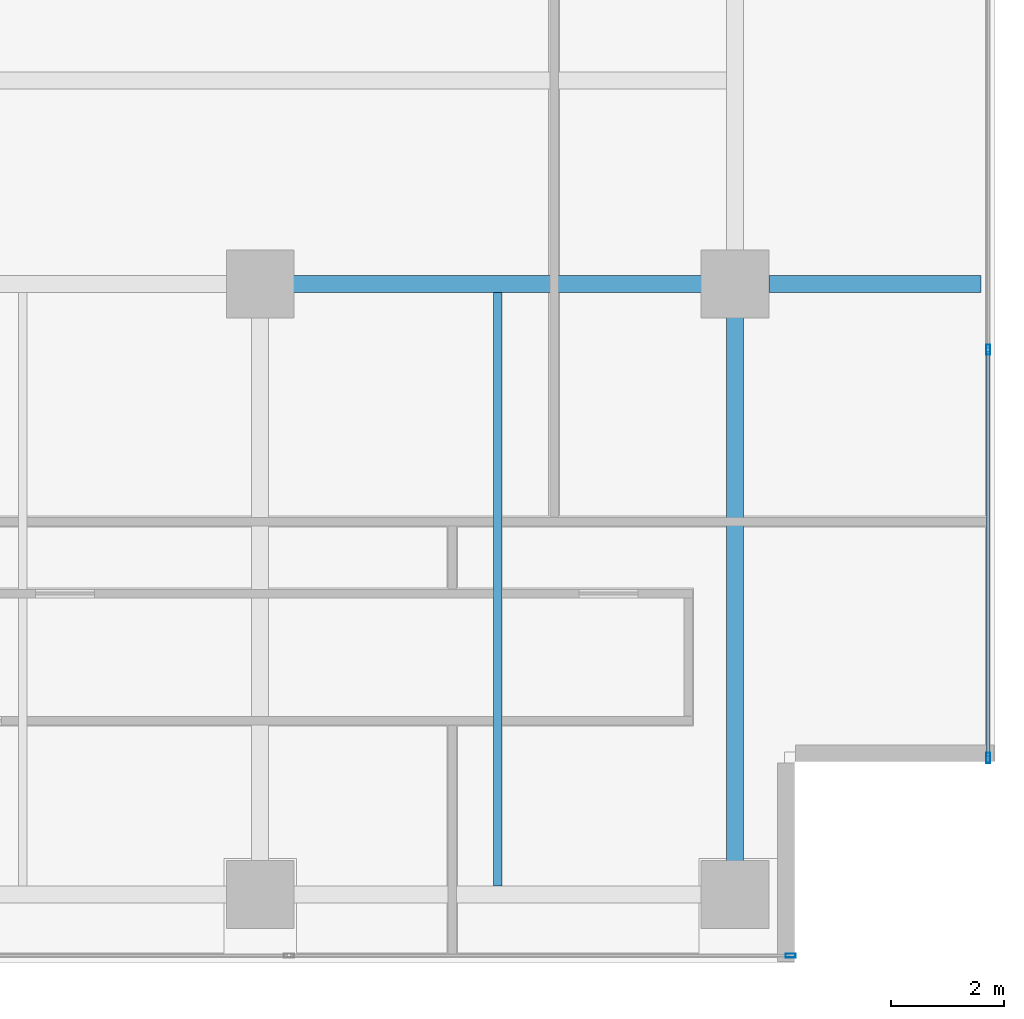
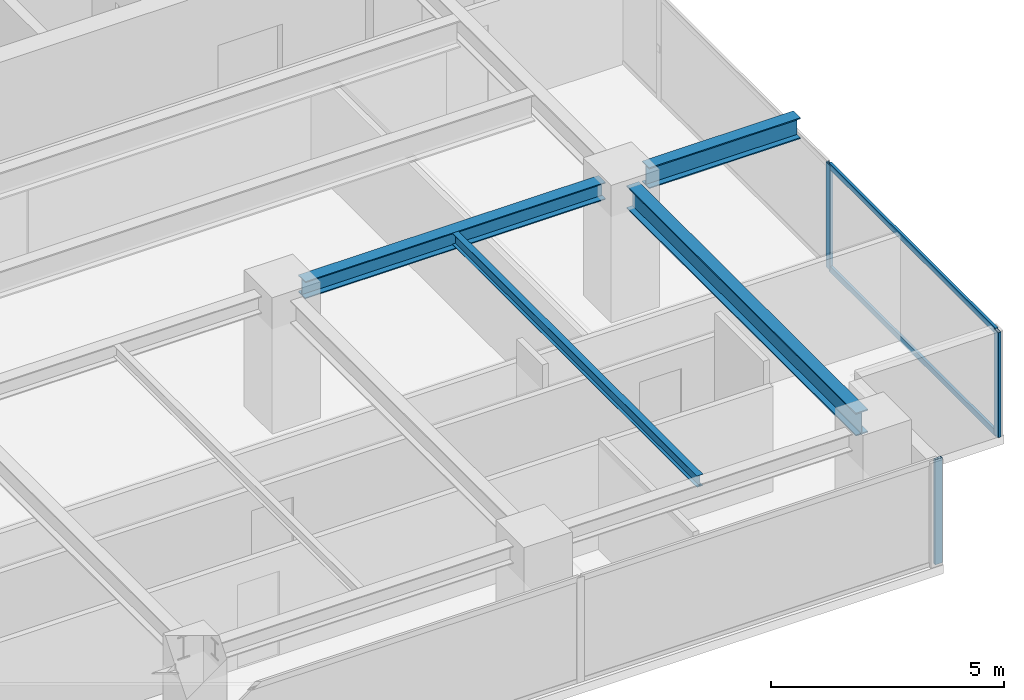
# One storey, part 8 of 20: 5 members, 4 beams, 2 elements without a shape of their own.
"""IFC4 building model written with IfcOpenShell, lengths in metres."""

import ifcopenshell
import ifcopenshell.guid

model = None  # the IFC model being written
_history = None  # IfcOwnerHistory: only IFC2X3 demands one
_inside = {}  # id of a spatial element -> (the spatial element, [elements in it])
_under = {}  # id of a project, library or spatial element -> (it, [spatial elements below it])
_declared = {}  # id of a project -> (the project, [libraries it declares])
_typed = {}  # id of a type object -> (the type object, [elements of that type])
_made_of = {}  # id of a material, layer set ... -> (it, [elements and type objects made of it])


def new_model(schema):
    """Start an empty IFC model of exactly this schema.

    Asked for "IFC4X3", IfcOpenShell would pick the latest addendum, in which some entities
    have other attributes; the version numbers below select the first issue.
    IFC2X3 requires an IfcOwnerHistory on every rooted entity: one is made here for all.
    """
    global model, _history
    if schema == "IFC4X3":
        model = ifcopenshell.file(schema_version=(4, 3, 0, 0))
    else:
        model = ifcopenshell.file(schema=schema)
    _inside.clear()
    _under.clear()
    _declared.clear()
    _typed.clear()
    _made_of.clear()
    _history = None
    if model.schema == "IFC2X3":
        org = make("IfcOrganization", Name="unknown")
        user = make(
            "IfcPersonAndOrganization",
            ThePerson=make("IfcPerson", FamilyName="unknown"),
            TheOrganization=org,
        )
        app = make(
            "IfcApplication",
            ApplicationDeveloper=org,
            Version="unknown",
            ApplicationFullName="unknown",
            ApplicationIdentifier="unknown",
        )
        _history = make(
            "IfcOwnerHistory",
            OwningUser=user,
            OwningApplication=app,
            ChangeAction="ADDED",
            CreationDate=0,
        )
    return model


def make(cls, **values):
    """One entity of the class cls with the attributes given. An attribute that is None is left unset."""
    return model.create_entity(
        cls, **{name: value for name, value in values.items() if value is not None}
    )


def rooted(cls, **values):
    """An entity with a GlobalId (a new one), such as an element, a storey or a relation."""
    return make(cls, GlobalId=ifcopenshell.guid.new(), OwnerHistory=_history, **values)


def si_unit(unit_type, name, prefix=None):
    """IfcSIUnit, for example si_unit("LENGTHUNIT", "METRE", prefix="MILLI")."""
    return make("IfcSIUnit", UnitType=unit_type, Prefix=prefix, Name=name)


def assignment(units):
    """IfcUnitAssignment: the units of a project."""
    return None if units is None else make("IfcUnitAssignment", Units=units)


def point(xyz):
    """IfcCartesianPoint."""
    return None if xyz is None else make("IfcCartesianPoint", Coordinates=xyz)


def direction(xyz):
    """IfcDirection."""
    return None if xyz is None else make("IfcDirection", DirectionRatios=xyz)


def frame(location, z_axis=None, x_axis=None):
    """IfcAxis2Placement3D, a coordinate frame: its origin and axes. An axis left out is left unset."""
    return make(
        "IfcAxis2Placement3D",
        Location=point(location),
        Axis=direction(z_axis),
        RefDirection=direction(x_axis),
    )


def frame_2d(location, x_axis=None):
    """IfcAxis2Placement2D, a coordinate frame in the plane: its origin and x axis."""
    return make(
        "IfcAxis2Placement2D", Location=point(location), RefDirection=direction(x_axis)
    )


def origin():
    """The frame at (0, 0, 0) with its axes left unset."""
    return frame((0.0, 0.0, 0.0))


def origin_2d():
    """The frame at (0, 0) in the plane with its x axis left unset."""
    return frame_2d((0.0, 0.0))


def place(relative_to, where):
    """IfcLocalPlacement: puts the frame where relative to a parent placement (None: the world)."""
    return make(
        "IfcLocalPlacement", PlacementRelTo=relative_to, RelativePlacement=where
    )


def context(
    kind, dimensions, precision=None, world=None, true_north=None, identifier=None
):
    """IfcGeometricRepresentationContext, for example the 3D "Model" context."""
    return make(
        "IfcGeometricRepresentationContext",
        ContextIdentifier=identifier,
        ContextType=kind,
        CoordinateSpaceDimension=dimensions,
        Precision=precision,
        WorldCoordinateSystem=world,
        TrueNorth=true_north,
    )


def subcontext(parent, identifier, kind, view, scale=None):
    """IfcGeometricRepresentationSubContext, for example "Body" below "Model"."""
    return make(
        "IfcGeometricRepresentationSubContext",
        ContextIdentifier=identifier,
        ContextType=kind,
        ParentContext=parent,
        TargetScale=scale,
        TargetView=view,
    )


def project(units=None, contexts=None):
    """IfcProject with its units and contexts."""
    return rooted(
        "IfcProject",
        Name="project",
        RepresentationContexts=contexts,
        UnitsInContext=assignment(units),
    )


def spatial(cls, under=None, at=None, **own):
    """A site, building, storey or space (cls), placed at a placement, below another one or the project."""
    s = rooted(cls, ObjectPlacement=at, **own)
    if under is not None:
        _under.setdefault(under.id(), (under, []))[1].append(s)
    return s


def profile(cls, at=None, kind="AREA", **sizes):
    """A parametric profile (cls). Its sizes go by their IFC names, for example OverallWidth=200.0."""
    return make(cls, ProfileType=kind, Position=at, **sizes)


def hollow_rectangle(**sizes):
    """IfcRectangleHollowProfileDef."""
    return profile("IfcRectangleHollowProfileDef", **sizes)


def i_section(**sizes):
    """IfcIShapeProfileDef."""
    return profile("IfcIShapeProfileDef", **sizes)


def extrude(swept, where, along, depth):
    """IfcExtrudedAreaSolid: the profile swept, set in the frame where, extruded along a direction by depth."""
    return make(
        "IfcExtrudedAreaSolid",
        SweptArea=swept,
        Position=where,
        ExtrudedDirection=direction(along),
        Depth=depth,
    )


def shape(context_of_items, identifier, shape_type, items):
    """IfcShapeRepresentation: the items that make up one representation, for example the "Body"."""
    return make(
        "IfcShapeRepresentation",
        ContextOfItems=context_of_items,
        RepresentationIdentifier=identifier,
        RepresentationType=shape_type,
        Items=items,
    )


def source(mapping_origin, context_of_items, identifier, shape_type, items):
    """IfcRepresentationMap: a shape defined once, which mapped items show again and again."""
    return make(
        "IfcRepresentationMap",
        MappingOrigin=mapping_origin,
        MappedRepresentation=shape(context_of_items, identifier, shape_type, items),
    )


def transform(
    local_origin,
    x_axis=None,
    y_axis=None,
    z_axis=None,
    scale=None,
    scale2=None,
    scale3=None,
    uniform=True,
):
    """IfcCartesianTransformationOperator3D, or its non-uniform kind. x_axis, y_axis, z_axis: its Axis1, 2, 3."""
    if uniform:
        return make(
            "IfcCartesianTransformationOperator3D",
            Axis1=direction(x_axis),
            Axis2=direction(y_axis),
            LocalOrigin=point(local_origin),
            Scale=scale,
            Axis3=direction(z_axis),
        )
    return make(
        "IfcCartesianTransformationOperator3DnonUniform",
        Axis1=direction(x_axis),
        Axis2=direction(y_axis),
        LocalOrigin=point(local_origin),
        Scale=scale,
        Axis3=direction(z_axis),
        Scale2=scale2,
        Scale3=scale3,
    )


def mapped(mapping_source, mapping_target):
    """IfcMappedItem: shows the shape of a source again, moved by a transform."""
    return make(
        "IfcMappedItem", MappingSource=mapping_source, MappingTarget=mapping_target
    )


def material(Name=None, Category=None):
    """IfcMaterial."""
    return make("IfcMaterial", Name=Name, Category=Category)


def layer(
    of_material, thickness, ventilated=None, Name=None, Category=None, Priority=None
):
    """IfcMaterialLayer: one layer of a wall or slab, of a material (None: an air gap)."""
    return make(
        "IfcMaterialLayer",
        Material=of_material,
        LayerThickness=thickness,
        IsVentilated=ventilated,
        Name=Name,
        Category=Category,
        Priority=Priority,
    )


def layer_set(layers, Name=None):
    """IfcMaterialLayerSet."""
    return make("IfcMaterialLayerSet", MaterialLayers=layers, LayerSetName=Name)


def material_profile(
    of_material, cross_section, Name=None, Category=None, Priority=None
):
    """IfcMaterialProfile: a cross section and its material."""
    return make(
        "IfcMaterialProfile",
        Name=Name,
        Material=of_material,
        Profile=cross_section,
        Priority=Priority,
        Category=Category,
    )


def profile_set(profiles, Name=None, composite=None):
    """IfcMaterialProfileSet."""
    return make(
        "IfcMaterialProfileSet",
        Name=Name,
        MaterialProfiles=profiles,
        CompositeProfile=composite,
    )


def made_of(thing, what):
    """Note that an element or type object is made of a material, layer set ...; save() writes the relation."""
    if what is not None:
        _made_of.setdefault(what.id(), (what, []))[1].append(thing)
    return thing


def type_object(cls, material=None, **own):
    """A type object (cls), such as IfcWallType, which elements share."""
    return made_of(rooted(cls, **own), material)


def element(
    cls,
    number,
    at=None,
    inside=None,
    cuts=None,
    type_object=None,
    material=None,
    context=None,
    identifier="Body",
    shape_type=None,
    held_by="IfcProductDefinitionShape",
    body=None,
    shapes=None,
    **own,
):
    """One element of the class cls, such as IfcWall. Its Tag is "e" and its number.

    at: its placement. inside: the storey or other place that contains it. cuts: it is an
    opening in that element (IfcRelVoidsElement). A single representation is given by context,
    identifier, shape_type and body (its items); several are given by shapes. held_by: the class
    of the entity that holds the representations. save() writes the other relations.
    """
    e = rooted(cls, Tag="e%d" % number, ObjectPlacement=at, **own)
    if body is not None:
        shapes = [shape(context, identifier, shape_type, body)]
    if shapes is not None:
        e.Representation = make(held_by, Representations=shapes)
    if inside is not None:
        _inside.setdefault(inside.id(), (inside, []))[1].append(e)
    if cuts is not None:
        rooted(
            "IfcRelVoidsElement", RelatingBuildingElement=cuts, RelatedOpeningElement=e
        )
    if type_object is not None:
        _typed.setdefault(type_object.id(), (type_object, []))[1].append(e)
    return made_of(e, material)


def aggregate(whole, parts):
    """IfcRelAggregates: a whole, such as a stair, and the parts it consists of."""
    return rooted("IfcRelAggregates", RelatingObject=whole, RelatedObjects=parts)


def save(model, path):
    """Write the relations noted so far, then the file.

    IfcRelAggregates (storeys below a building ...), IfcRelContainedInSpatialStructure (elements
    in a storey), IfcRelDefinesByType, IfcRelAssociatesMaterial and IfcRelDeclares: one each for
    every whole, place, type object, material and project.
    """
    for whole, parts in _under.values():
        aggregate(whole, parts)
    for where, things in _inside.values():
        rooted(
            "IfcRelContainedInSpatialStructure",
            RelatedElements=things,
            RelatingStructure=where,
        )
    for kind, things in _typed.values():
        rooted("IfcRelDefinesByType", RelatedObjects=things, RelatingType=kind)
    for what, things in _made_of.values():
        rooted("IfcRelAssociatesMaterial", RelatedObjects=things, RelatingMaterial=what)
    for by, libraries in _declared.values():
        rooted("IfcRelDeclares", RelatingContext=by, RelatedDefinitions=libraries)
    model.write(path)


model = new_model("IFC4")

# Units and contexts
model_context = context("Model", 3, precision=1e-05, world=origin(), true_north=direction((0.0, 1.0)))
body_context = subcontext(model_context, "Body", "Model", "MODEL_VIEW")
ifc_project = project(units=[si_unit("LENGTHUNIT", "METRE"), si_unit("AREAUNIT", "SQUARE_METRE"), si_unit("VOLUMEUNIT", "CUBIC_METRE"), si_unit("PLANEANGLEUNIT", "RADIAN"), si_unit("MASSUNIT", "GRAM", prefix="KILO")], contexts=[model_context])

# Site, building, storey
site_placement = place(None, origin())
site = spatial("IfcSite", under=ifc_project, at=site_placement, CompositionType="ELEMENT")
building_placement = place(site_placement, origin())
building = spatial("IfcBuilding", under=site, at=building_placement, Name="Sumidabori Civic Tower", CompositionType="ELEMENT")
storey_placement = place(building_placement, frame((0.0, 0.0, 282.800048828125)))
storey = spatial("IfcBuildingStorey", under=building, at=storey_placement, Name="L74", CompositionType="ELEMENT", Elevation=282.800048828125)

# Beams
ifc_material_1 = material(Name="Steel SN490", Category="steel")
ifc_material_profile_1 = material_profile(ifc_material_1, i_section(OverallWidth=0.300048828125, OverallDepth=0.60009765625, WebThickness=0.015380859375, FlangeThickness=0.030029296875, at=origin_2d()), Name="HE 600 B")
ifc_profile_set_1 = profile_set([ifc_material_profile_1], Name="Steel SN490")
beam_type_1 = type_object("IfcBeamType", Name="BM-GIRD-600", PredefinedType="BEAM", material=ifc_profile_set_1)
shared_shape_1 = source(origin(), body_context, "Body", "SweptSolid", [
    extrude(i_section(OverallWidth=0.300048828125, OverallDepth=0.60009765625, WebThickness=0.015380859375, FlangeThickness=0.030029296875, at=origin_2d()), origin(), (0.0, 0.0, 1.0), 9.840087890625),
])
beam_1_placement = place(storey_placement, frame((16.800048828125, -10.320068359375, 3.070068359375), z_axis=(0.0, 1.0, 0.0), x_axis=(-1.0, 0.0, 0.0)))
element("IfcBeam", 1, at=beam_1_placement, inside=storey, type_object=beam_type_1, Name="Primary Girder L74 GY-15", PredefinedType="BEAM", context=body_context, shape_type="MappedRepresentation", body=[
    mapped(shared_shape_1, transform((0.0, 0.0, 0.0), x_axis=(1.0, 0.0, 0.0), y_axis=(0.0, 1.0, 0.0), z_axis=(0.0, 0.0, 1.0), scale=1.0)),
])
ifc_material_profile_2 = material_profile(ifc_material_1, i_section(OverallWidth=0.300048828125, OverallDepth=0.449951171875, WebThickness=0.013916015625, FlangeThickness=0.02587890625, at=origin_2d()), Name="HE 450 B")
ifc_profile_set_2 = profile_set([ifc_material_profile_2], Name="Steel SN490")
beam_type_2 = type_object("IfcBeamType", Name="BM-GIRD-450", PredefinedType="BEAM", material=ifc_profile_set_2)
shared_shape_2 = source(origin(), body_context, "Body", "SweptSolid", [
    extrude(i_section(OverallWidth=0.300048828125, OverallDepth=0.449951171875, WebThickness=0.013916015625, FlangeThickness=0.02587890625, at=origin_2d()), origin(), (0.0, 0.0, 1.0), 7.440185546875),
])
beam_2_placement = place(storey_placement, frame((8.8798828125, 0.0, 3.14501953125), z_axis=(1.0, 0.0, 0.0), x_axis=(0.0, 1.0, 0.0)))
element("IfcBeam", 2, at=beam_2_placement, inside=storey, type_object=beam_type_2, Name="Primary Girder L74 GX-08", PredefinedType="BEAM", context=body_context, shape_type="MappedRepresentation", body=[
    mapped(shared_shape_2, transform((0.0, 0.0, 0.0), x_axis=(1.0, 0.0, 0.0), y_axis=(0.0, 1.0, 0.0), z_axis=(0.0, 0.0, 1.0), scale=1.0)),
])
ifc_material_profile_3 = material_profile(ifc_material_1, i_section(OverallWidth=0.14990234375, OverallDepth=0.300048828125, WebThickness=0.007080078125, FlangeThickness=0.0107421875, at=origin_2d()), Name="IPE 300")
ifc_profile_set_3 = profile_set([ifc_material_profile_3], Name="Steel SN490")
beam_type_3 = type_object("IfcBeamType", Name="BM-JST-300", PredefinedType="JOIST", material=ifc_profile_set_3)
shared_shape_3 = source(origin(), body_context, "Body", "SweptSolid", [
    extrude(i_section(OverallWidth=0.14990234375, OverallDepth=0.300048828125, WebThickness=0.007080078125, FlangeThickness=0.0107421875, at=origin_2d()), origin(), (0.0, 0.0, 1.0), 10.5),
])
beam_3_placement = place(storey_placement, frame((12.60009765625, -10.64990234375, 3.219970703125), z_axis=(0.0, 1.0, 0.0), x_axis=(-1.0, 0.0, 0.0)))
element("IfcBeam", 3, at=beam_3_placement, inside=storey, type_object=beam_type_3, Name="Upper Lens N-S Floor Joist L74 JSTV-27", PredefinedType="JOIST", context=body_context, shape_type="MappedRepresentation", body=[
    mapped(shared_shape_3, transform((0.0, 0.0, 0.0), x_axis=(1.0, 0.0, 0.0), y_axis=(0.0, 1.0, 0.0), z_axis=(0.0, 0.0, 1.0), scale=1.0)),
])
ifc_material_profile_4 = material_profile(ifc_material_1, i_section(OverallWidth=0.300048828125, OverallDepth=0.550048828125, WebThickness=0.014892578125, FlangeThickness=0.029052734375, at=origin_2d()), Name="HE 550 B")
ifc_profile_set_4 = profile_set([ifc_material_profile_4], Name="Steel SN490")
beam_type_4 = type_object("IfcBeamType", Name="BM-Z4-EDGE", PredefinedType="SPANDREL", material=ifc_profile_set_4)
shared_shape_4 = source(origin(), body_context, "Body", "SweptSolid", [
    extrude(i_section(OverallWidth=0.300048828125, OverallDepth=0.550048828125, WebThickness=0.014892578125, FlangeThickness=0.029052734375, at=origin_2d()), origin(), (0.0, 0.0, 1.0), 3.75),
])
beam_4_placement = place(storey_placement, frame((17.39990234375, 0.0, 3.094970703125), z_axis=(1.0, 0.0, 0.0), x_axis=(0.0, 1.0, 0.0)))
element("IfcBeam", 4, at=beam_4_placement, inside=storey, type_object=beam_type_4, Name="Perimeter Overhang Beam L74 E-18", PredefinedType="SPANDREL", context=body_context, shape_type="MappedRepresentation", body=[
    mapped(shared_shape_4, transform((0.0, 0.0, 0.0), x_axis=(1.0, 0.0, 0.0), y_axis=(0.0, 1.0, 0.0), z_axis=(0.0, 0.0, 1.0), scale=1.0)),
])

# Curtain wall, member
ifc_material_2 = material(Name="Anodised Bronze Aluminium AW-6063-T6", Category="aluminium")
ifc_layer = layer(ifc_material_2, 0.179931640625, Name="Anodised Bronze Aluminium AW-6063-T6")
ifc_layer_set = layer_set([ifc_layer], Name="Anodised Bronze Aluminium AW-6063-T6")
curtain_wall_type = type_object("IfcCurtainWallType", Name="CW-SYS-6", PredefinedType="NOTDEFINED", material=ifc_layer_set)
curtain_wall_1_placement = place(storey_placement, origin())
curtain_wall_1 = element("IfcCurtainWall", 5, at=curtain_wall_1_placement, inside=storey, type_object=curtain_wall_type, Name="Curtain Wall CW:L74:R01", PredefinedType="NOTDEFINED")
ifc_material_profile_5 = material_profile(ifc_material_2, hollow_rectangle(XDim=0.070068359375, YDim=0.179931640625, WallThickness=0.006103515625, at=origin_2d()), Name="ALU MULLION 180x70")
ifc_profile_set_5 = profile_set([ifc_material_profile_5], Name="Anodised Bronze Aluminium AW-6063-T6")
member_type_1 = type_object("IfcMemberType", Name="CW-MUL-180", PredefinedType="MULLION", material=ifc_profile_set_5)
shared_shape_5 = source(origin(), body_context, "Body", "SweptSolid", [
    extrude(hollow_rectangle(XDim=0.070068359375, YDim=0.179931640625, WallThickness=0.006103515625, at=origin_2d()), origin(), (0.0, 0.0, 1.0), 2.75),
])
member_1_placement = place(storey_placement, frame((17.784912109375, -11.8798828125, 0.0), z_axis=(0.0, 0.0, 1.0), x_axis=(0.0, 1.0, 0.0)))
member_1 = element("IfcMember", 6, at=member_1_placement, type_object=member_type_1, Name="CW-6 mullion 5", PredefinedType="MULLION", context=body_context, shape_type="MappedRepresentation", body=[
    mapped(shared_shape_5, transform((0.0, 0.0, 0.0), x_axis=(1.0, 0.0, 0.0), y_axis=(0.0, 1.0, 0.0), z_axis=(0.0, 0.0, 1.0), scale=1.0)),
])
aggregate(curtain_wall_1, [member_1])

# Curtain wall, members
curtain_wall_2_placement = place(storey_placement, origin())
curtain_wall_2 = element("IfcCurtainWall", 7, at=curtain_wall_2_placement, inside=storey, type_object=curtain_wall_type, Name="Curtain Wall CW:L74:R04", PredefinedType="NOTDEFINED")
member_2_placement = place(storey_placement, frame((21.280029296875, -8.385009765625, 0.0), z_axis=(0.0, 0.0, 1.0), x_axis=(-1.0, 0.0, 0.0)))
member_2 = element("IfcMember", 8, at=member_2_placement, type_object=member_type_1, Name="CW-6 mullion 1", PredefinedType="MULLION", context=body_context, shape_type="MappedRepresentation", body=[
    mapped(shared_shape_5, transform((0.0, 0.0, 0.0), x_axis=(1.0, 0.0, 0.0), y_axis=(0.0, 1.0, 0.0), z_axis=(0.0, 0.0, 1.0), scale=1.0)),
])
member_3_placement = place(storey_placement, frame((21.280029296875, -1.159912109375, 0.0), z_axis=(0.0, 0.0, 1.0), x_axis=(-1.0, 0.0, 0.0)))
member_3 = element("IfcMember", 9, at=member_3_placement, type_object=member_type_1, Name="CW-6 mullion 2", PredefinedType="MULLION", context=body_context, shape_type="MappedRepresentation", body=[
    mapped(shared_shape_5, transform((0.0, 0.0, 0.0), x_axis=(1.0, 0.0, 0.0), y_axis=(0.0, 1.0, 0.0), z_axis=(0.0, 0.0, 1.0), scale=1.0)),
])
ifc_material_profile_6 = material_profile(ifc_material_2, hollow_rectangle(XDim=0.06494140625, YDim=0.14990234375, WallThickness=0.0048828125, at=origin_2d()), Name="ALU TRANSOM 150x65")
ifc_profile_set_6 = profile_set([ifc_material_profile_6], Name="Anodised Bronze Aluminium AW-6063-T6")
member_type_2 = type_object("IfcMemberType", Name="CW-TRN-150", PredefinedType="USERDEFINED", material=ifc_profile_set_6)
shared_shape_6 = source(origin(), body_context, "Body", "SweptSolid", [
    extrude(hollow_rectangle(XDim=0.06494140625, YDim=0.14990234375, WallThickness=0.0048828125, at=origin_2d()), origin(), (0.0, 0.0, 1.0), 7.155029296875),
])
member_4_placement = place(storey_placement, frame((21.280029296875, -8.35009765625, 0.032470703125), z_axis=(0.0, 1.0, 0.0), x_axis=(-1.0, 0.0, 0.0)))
member_4 = element("IfcMember", 10, at=member_4_placement, type_object=member_type_2, Name="CW-6 transom 1.1", ObjectType="TRANSOM", PredefinedType="USERDEFINED", context=body_context, shape_type="MappedRepresentation", body=[
    mapped(shared_shape_6, transform((0.0, 0.0, 0.0), x_axis=(1.0, 0.0, 0.0), y_axis=(0.0, 1.0, 0.0), z_axis=(0.0, 0.0, 1.0), scale=1.0)),
])
member_5_placement = place(storey_placement, frame((21.280029296875, -8.35009765625, 2.717529296875), z_axis=(0.0, 1.0, 0.0), x_axis=(-1.0, 0.0, 0.0)))
member_5 = element("IfcMember", 11, at=member_5_placement, type_object=member_type_2, Name="CW-6 transom 1.2", ObjectType="TRANSOM", PredefinedType="USERDEFINED", context=body_context, shape_type="MappedRepresentation", body=[
    mapped(shared_shape_6, transform((0.0, 0.0, 0.0), x_axis=(1.0, 0.0, 0.0), y_axis=(0.0, 1.0, 0.0), z_axis=(0.0, 0.0, 1.0), scale=1.0)),
])
aggregate(curtain_wall_2, [member_2, member_3, member_4, member_5])

save(model, "model.ifc")
